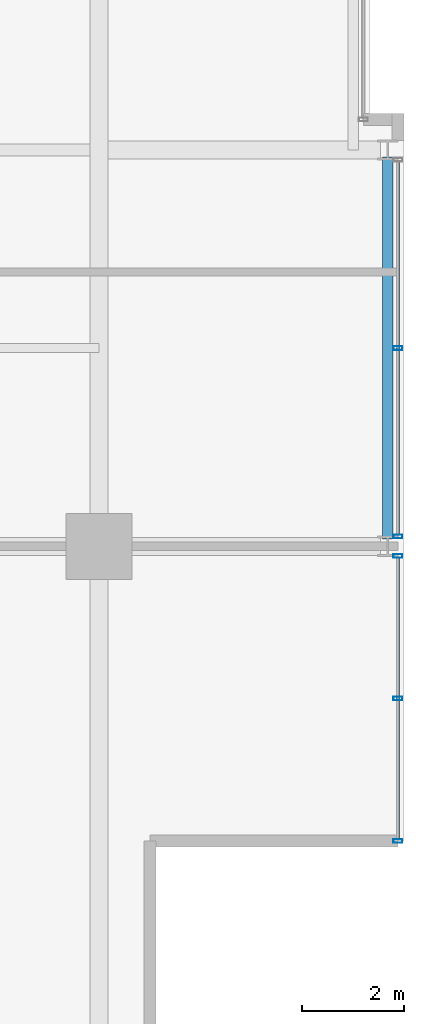
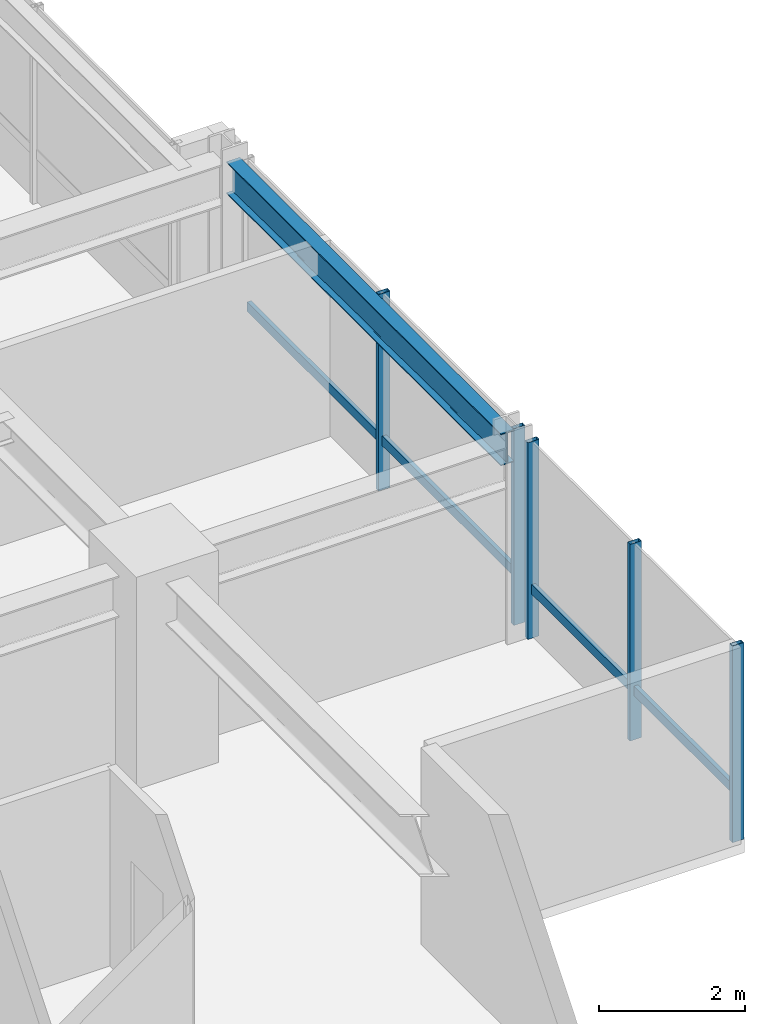
# One storey, part 13 of 33: 7 members, 1 beam, 2 elements without a shape of their own.
"""IFC4 building model written with IfcOpenShell, lengths in metres."""

from ifc_helpers import new_model, si_unit, direction, frame, origin, origin_2d, place, context, subcontext, project, spatial, hollow_rectangle, i_section, extrude, material, layer, layer_set, material_profile, profile_set, type_object, element, aggregate, save


model = new_model("IFC4")

# Units and contexts
model_context = context("Model", 3, precision=1e-05, world=origin(), true_north=direction((0.0, 1.0)))
body_context = subcontext(model_context, "Body", "Model", "MODEL_VIEW")
ifc_project = project(units=[si_unit("LENGTHUNIT", "METRE"), si_unit("AREAUNIT", "SQUARE_METRE"), si_unit("VOLUMEUNIT", "CUBIC_METRE"), si_unit("PLANEANGLEUNIT", "RADIAN"), si_unit("MASSUNIT", "GRAM", prefix="KILO")], contexts=[model_context])

# Site, building, storey
site_placement = place(None, origin())
site = spatial("IfcSite", under=ifc_project, at=site_placement, CompositionType="ELEMENT")
building_placement = place(site_placement, origin())
building = spatial("IfcBuilding", under=site, at=building_placement, Name="Drelvath Grand Hotel", CompositionType="ELEMENT")
storey_placement = place(building_placement, frame((0.0, 0.0, 178.800048828125)))
storey = spatial("IfcBuildingStorey", under=building, at=storey_placement, Name="L46", CompositionType="ELEMENT", Elevation=178.800048828125)

# Curtain wall, member
ifc_material_1 = material(Name="Brushed Pale-Silver Anodised Aluminium Frame", Category="aluminium")
ifc_layer = layer(ifc_material_1, 0.199951171875)
ifc_layer_set = layer_set([ifc_layer], Name="Brushed Pale-Silver Anodised Aluminium Frame")
curtain_wall_type = type_object("IfcCurtainWallType", Name="Stick Curtain Wall CW-04 Brushed Silver Upper-Mid", PredefinedType="NOTDEFINED", material=ifc_layer_set)
curtain_wall_1_placement = place(storey_placement, origin())
curtain_wall_1 = element("IfcCurtainWall", 1, at=curtain_wall_1_placement, inside=storey, type_object=curtain_wall_type, Name="L46 CW-04 Curtain Wall CW04-L46-ES1", PredefinedType="NOTDEFINED")
ifc_material_profile_1 = material_profile(ifc_material_1, hollow_rectangle(XDim=0.06494140625, YDim=0.159912109375, WallThickness=0.00390625, at=origin_2d()), Name="HSS160X65X4")
ifc_profile_set_1 = profile_set([ifc_material_profile_1], Name="Brushed Pale-Silver Anodised Aluminium Frame")
member_type_1 = type_object("IfcMemberType", Name="Curtain Wall Horizontal Transom CW-04 HSS160X65X4", PredefinedType="USERDEFINED", material=ifc_profile_set_1)
member_1_placement = place(storey_placement, frame((22.080078125, 10.568359375, 0.822509765625), z_axis=(0.0, -1.0, 0.0), x_axis=(1.0, 0.0, 0.0)))
member_1 = element("IfcMember", 2, at=member_1_placement, type_object=member_type_1, Name="CW04-L46-ES1 Sill Transom", ObjectType="TRANSOM", PredefinedType="USERDEFINED", context=body_context, shape_type="SweptSolid", body=[
    extrude(hollow_rectangle(XDim=0.06494140625, YDim=0.159912109375, WallThickness=0.00390625, at=origin_2d()), origin(), (0.0, 0.0, 1.0), 5.5283203125),
])

curtain_wall_2_placement = place(storey_placement, origin())
curtain_wall_2 = element("IfcCurtainWall", 3, at=curtain_wall_2_placement, inside=storey, type_object=curtain_wall_type, Name="L46 CW-04 Curtain Wall CW04-L46-ES2", PredefinedType="NOTDEFINED")
member_2_placement = place(storey_placement, frame((22.080078125, 18.368408203125, 0.822509765625), z_axis=(0.0, -1.0, 0.0), x_axis=(1.0, 0.0, 0.0)))
member_2 = element("IfcMember", 4, at=member_2_placement, type_object=member_type_1, Name="CW04-L46-ES2 Sill Transom", ObjectType="TRANSOM", PredefinedType="USERDEFINED", context=body_context, shape_type="SweptSolid", body=[
    extrude(hollow_rectangle(XDim=0.06494140625, YDim=0.159912109375, WallThickness=0.00390625, at=origin_2d()), origin(), (0.0, 0.0, 1.0), 7.336669921875),
])

# Member
ifc_material_profile_2 = material_profile(ifc_material_1, hollow_rectangle(XDim=0.074951171875, YDim=0.179931640625, WallThickness=0.0048828125, at=origin_2d()), Name="HSS180X75X5")
ifc_profile_set_2 = profile_set([ifc_material_profile_2], Name="Brushed Pale-Silver Anodised Aluminium Frame")
member_type_2 = type_object("IfcMemberType", Name="Curtain Wall Vertical Mullion CW-04 HSS180X75X5", PredefinedType="MULLION", material=ifc_profile_set_2)
member_3_placement = place(storey_placement, frame((22.080078125, 10.6083984375, 0.0), z_axis=(0.0, 0.0, 1.0), x_axis=(0.0, 1.0, 0.0)))
member_3 = element("IfcMember", 5, at=member_3_placement, type_object=member_type_2, Name="CW04-L46-ES1 Mullion 1", PredefinedType="MULLION", context=body_context, shape_type="SweptSolid", body=[
    extrude(hollow_rectangle(XDim=0.074951171875, YDim=0.179931640625, WallThickness=0.0048828125, at=origin_2d()), origin(), (0.0, 0.0, 1.0), 3.2900390625),
])

member_4_placement = place(storey_placement, frame((22.080078125, 7.80419921875, 0.0), z_axis=(0.0, 0.0, 1.0), x_axis=(0.0, 1.0, 0.0)))
member_4 = element("IfcMember", 6, at=member_4_placement, type_object=member_type_2, Name="CW04-L46-ES1 Mullion 2", PredefinedType="MULLION", context=body_context, shape_type="SweptSolid", body=[
    extrude(hollow_rectangle(XDim=0.074951171875, YDim=0.179931640625, WallThickness=0.0048828125, at=origin_2d()), origin(), (0.0, 0.0, 1.0), 3.2900390625),
])

member_5_placement = place(storey_placement, frame((22.080078125, 5.0, 0.0), z_axis=(0.0, 0.0, 1.0), x_axis=(0.0, 1.0, 0.0)))
member_5 = element("IfcMember", 7, at=member_5_placement, type_object=member_type_2, Name="CW04-L46-ES1 Mullion 3", PredefinedType="MULLION", context=body_context, shape_type="SweptSolid", body=[
    extrude(hollow_rectangle(XDim=0.074951171875, YDim=0.179931640625, WallThickness=0.0048828125, at=origin_2d()), origin(), (0.0, 0.0, 1.0), 3.2900390625),
])

aggregate(curtain_wall_1, [member_3, member_4, member_5, member_1])

member_6_placement = place(storey_placement, frame((22.080078125, 14.7001953125, 0.0), z_axis=(0.0, 0.0, 1.0), x_axis=(0.0, 1.0, 0.0)))
member_6 = element("IfcMember", 8, at=member_6_placement, type_object=member_type_2, Name="CW04-L46-ES2 Mullion 2", PredefinedType="MULLION", context=body_context, shape_type="SweptSolid", body=[
    extrude(hollow_rectangle(XDim=0.074951171875, YDim=0.179931640625, WallThickness=0.0048828125, at=origin_2d()), origin(), (0.0, 0.0, 1.0), 3.2900390625),
])

member_7_placement = place(storey_placement, frame((22.080078125, 10.99169921875, 0.0), z_axis=(0.0, 0.0, 1.0), x_axis=(0.0, 1.0, 0.0)))
member_7 = element("IfcMember", 9, at=member_7_placement, type_object=member_type_2, Name="CW04-L46-ES2 Mullion 3", PredefinedType="MULLION", context=body_context, shape_type="SweptSolid", body=[
    extrude(hollow_rectangle(XDim=0.074951171875, YDim=0.179931640625, WallThickness=0.0048828125, at=origin_2d()), origin(), (0.0, 0.0, 1.0), 3.2900390625),
])

aggregate(curtain_wall_2, [member_6, member_7, member_2])

# Beam
ifc_material_2 = material(Name="Steel ASTM A992 Gr 50", Category="steel")
ifc_material_profile_3 = material_profile(ifc_material_2, i_section(OverallWidth=0.210205078125, OverallDepth=0.53662109375, WebThickness=0.010986328125, FlangeThickness=0.017333984375, FilletRadius=0.01806640625, at=origin_2d()), Name="W21X68")
ifc_profile_set_3 = profile_set([ifc_material_profile_3], Name="Steel ASTM A992 Gr 50")
beam_type = type_object("IfcBeamType", Name="Perimeter Spandrel Beam W21X68", PredefinedType="SPANDREL", material=ifc_profile_set_3)
beam_placement = place(storey_placement, frame((21.8798828125, 10.93994140625, 3.021728515625), z_axis=(0.0, 1.0, 0.0), x_axis=(-1.0, 0.0, 0.0)))
element("IfcBeam", 10, at=beam_placement, inside=storey, type_object=beam_type, Name="L46 Spandrel East S", PredefinedType="SPANDREL", context=body_context, shape_type="SweptSolid", body=[
    extrude(i_section(OverallWidth=0.210205078125, OverallDepth=0.53662109375, WebThickness=0.010986328125, FlangeThickness=0.017333984375, FilletRadius=0.01806640625, at=origin_2d()), origin(), (0.0, 0.0, 1.0), 7.52001953125),
])

save(model, "model.ifc")
